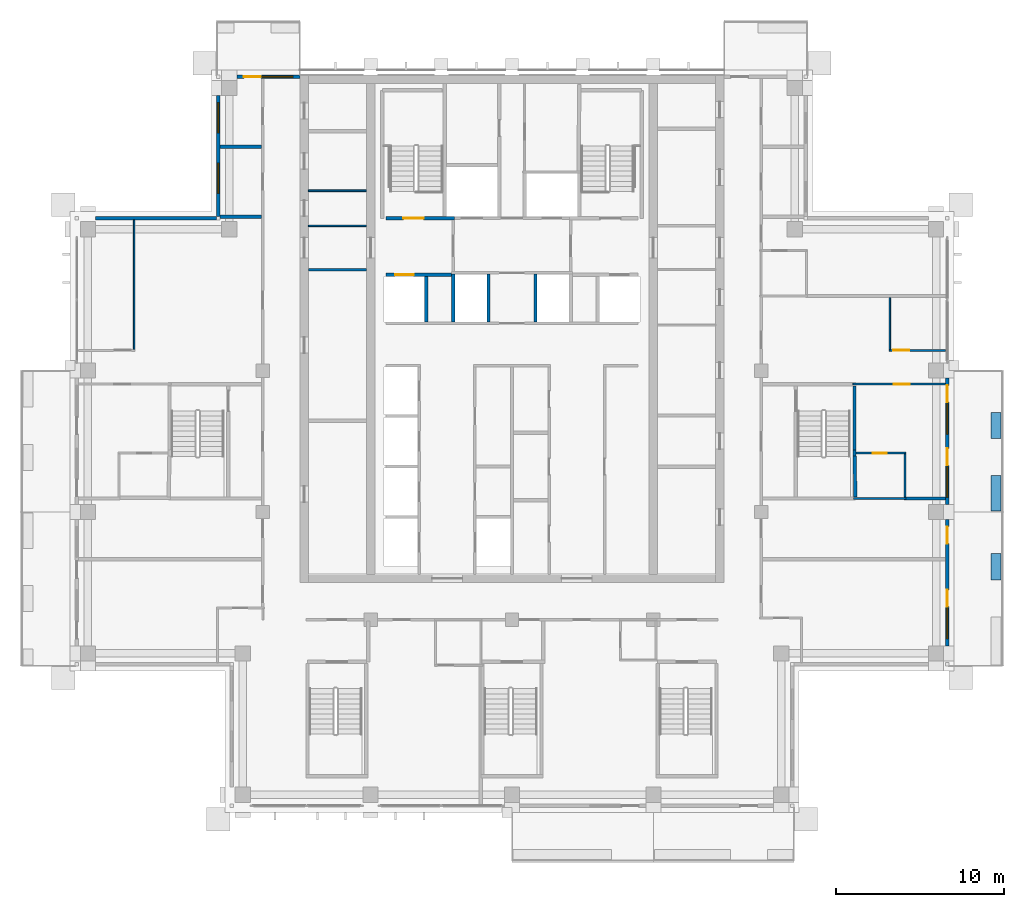
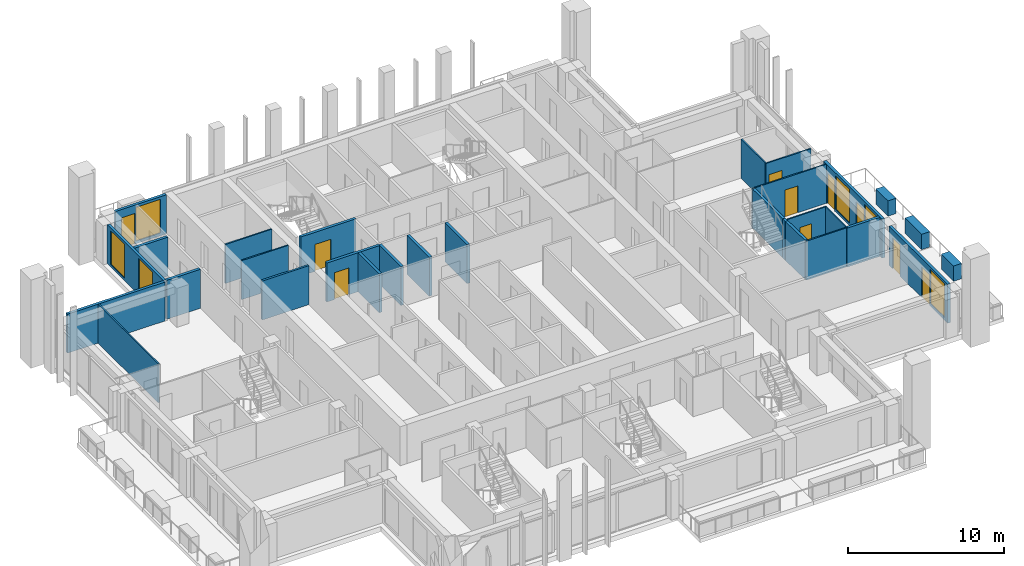
# One storey, part 12 of 18: 30 walls, 10 doors, 6 windows, 16 openings.
"""IFC4 building model written with IfcOpenShell, lengths in metres."""

from ifc_helpers import new_model, si_unit, direction, frame, frame_2d, origin, place, context, subcontext, project, spatial, rectangle, extrude, material, layer, layer_set, type_object, element, fill, save


model = new_model("IFC4")

# Units and contexts
model_context = context("Model", 3, precision=1e-05, world=origin(), true_north=direction((0.0, 1.0)))
body_context = subcontext(model_context, "Body", "Model", "MODEL_VIEW")
ifc_project = project(units=[si_unit("LENGTHUNIT", "METRE"), si_unit("AREAUNIT", "SQUARE_METRE"), si_unit("VOLUMEUNIT", "CUBIC_METRE"), si_unit("PLANEANGLEUNIT", "RADIAN"), si_unit("MASSUNIT", "GRAM", prefix="KILO")], contexts=[model_context])

# Site, building, storey
site_placement = place(None, origin())
site = spatial("IfcSite", under=ifc_project, at=site_placement, CompositionType="ELEMENT")
building_placement = place(site_placement, origin())
building = spatial("IfcBuilding", under=site, at=building_placement, Name="Vermilion Ogive Tower", CompositionType="ELEMENT")
storey_placement = place(building_placement, frame((0.0, 0.0, 240.699951171875)))
storey = spatial("IfcBuildingStorey", under=building, at=storey_placement, Name="L63", CompositionType="ELEMENT", Elevation=240.699951171875)

# Wall
ifc_material_1 = material(Name="Gypsum board partition on steel studs", Category="steel")
ifc_layer_1 = layer(ifc_material_1, 0.10009765625)
ifc_layer_set_1 = layer_set([ifc_layer_1], Name="Partition 100 bath")
wall_type_1 = type_object("IfcWallType", Name="Partition 100 bath", PredefinedType="PARTITIONING", material=ifc_layer_set_1)
wall_1_placement = place(storey_placement, frame((20.300048828125, -3.39990234375, 0.0), z_axis=(0.0, 0.0, 1.0), x_axis=(1.0, 0.0, 0.0)))
element("IfcWall", 1, at=wall_1_placement, inside=storey, type_object=wall_type_1, Name="L63-W-W020", PredefinedType="PARTITIONING", context=body_context, shape_type="SweptSolid", body=[
    extrude(rectangle(XDim=3.099853515625, YDim=0.10009765625, at=frame_2d((1.5498046875, 0.0))), origin(), (0.0, 0.0, 1.0), 3.050048828125),
])

# Wall, opening, door
wall_2_placement = place(storey_placement, frame((20.449951171875, -0.699951171875, 0.0), z_axis=(0.0, 0.0, 1.0), x_axis=(1.0, 0.0, 0.0)))
wall_2 = element("IfcWall", 2, at=wall_2_placement, inside=storey, type_object=wall_type_1, Name="L63-W-W023", PredefinedType="PARTITIONING", context=body_context, shape_type="SweptSolid", body=[
    extrude(rectangle(XDim=2.949951171875, YDim=0.10009765625, at=frame_2d((1.47509765625, 0.0))), origin(), (0.0, 0.0, 1.0), 3.050048828125),
])
opening_1_placement = place(wall_2_placement, frame((0.97509765625, 0.0, 0.0)))
opening_1 = element("IfcOpeningElement", 3, at=opening_1_placement, cuts=wall_2, Name="Opening D5G3018", PredefinedType="OPENING", context=body_context, shape_type="SweptSolid", body=[
    extrude(rectangle(XDim=0.85009765625, YDim=2.10009765625, at=frame_2d((0.425048828125, 1.050048828125))), frame((0.0, 0.06005859375, 0.0), z_axis=(0.0, -1.0, 0.0), x_axis=(1.0, 0.0, 0.0)), (0.0, 0.0, 1.0), 0.1201171875),
])
ifc_material_2 = material(Name="Timber door leaf", Category="wood")
door_type_1 = type_object("IfcDoorType", Name="Bath door 850 x 2100 FD30", OperationType="SINGLE_SWING_LEFT", PredefinedType="DOOR", material=ifc_material_2)
door_1_placement = place(opening_1_placement, origin())
door_1 = element("IfcDoor", 4, at=door_1_placement, inside=storey, type_object=door_type_1, Name="L63-D-D018", OperationType="SINGLE_SWING_RIGHT", OverallHeight=2.10009765625, OverallWidth=0.85009765625, PredefinedType="DOOR", context=body_context, shape_type="SweptSolid", body=[
    extrude(rectangle(XDim=0.85009765625, YDim=2.10009765625, at=frame_2d((0.425048828125, 1.050048828125))), frame((0.0, 0.02490234375, 0.0), z_axis=(0.0, -1.0, 0.0), x_axis=(1.0, 0.0, 0.0)), (0.0, 0.0, 1.0), 0.050048828125),
])
fill(opening_1, door_1)

# Walls
wall_3_placement = place(storey_placement, frame((23.35009765625, -3.300048828125, 0.0), z_axis=(0.0, 0.0, 1.0), x_axis=(0.0, 1.0, 0.0)))
element("IfcWall", 5, at=wall_3_placement, inside=storey, type_object=wall_type_1, Name="L63-W-W063", PredefinedType="PARTITIONING", context=body_context, shape_type="SweptSolid", body=[
    extrude(rectangle(XDim=2.550048828125, YDim=0.10009765625, at=frame_2d((1.27490234375, 0.0))), origin(), (0.0, 0.0, 1.0), 3.050048828125),
])
for number, where, z_axis, x_axis, name in (
    (6, (-12.09912109375, 12.800048828125, 0.0), (0.0, 0.0, 1.0), (1.0, 0.0, 0.0), "L63-CKW-W-W003"),
    (7, (-12.09912109375, 14.89111328125, 0.0), (0.0, 0.0, 1.0), (1.0, 0.0, 0.0), "L63-CKW-W-W004"),
):
    element("IfcWall", number, at=place(storey_placement, frame(where, z_axis=z_axis, x_axis=x_axis)), inside=storey, type_object=wall_type_1, Name=name, PredefinedType="PARTITIONING", context=body_context, shape_type="SweptSolid", body=[
        extrude(rectangle(XDim=3.4482421875, YDim=0.10009765625, at=frame_2d((1.72412109375, 0.0))), origin(), (0.0, 0.0, 1.0), 3.050048828125),
    ])

# Wall, opening, door
ifc_material_3 = material(Name="Gypsum board partition on steel studs", Category="steel")
ifc_layer_2 = layer(ifc_material_3, 0.10009765625)
ifc_layer_set_2 = layer_set([ifc_layer_2], Name="Partition 100 inner")
wall_type_2 = type_object("IfcWallType", Name="Partition 100 inner", PredefinedType="PARTITIONING", material=ifc_layer_set_2)
wall_4_placement = place(storey_placement, frame((20.25, 3.39990234375, 0.0), z_axis=(0.0, 0.0, 1.0), x_axis=(1.0, 0.0, 0.0)))
wall_4 = element("IfcWall", 8, at=wall_4_placement, inside=storey, type_object=wall_type_2, Name="L63-W-W027", PredefinedType="PARTITIONING", context=body_context, shape_type="SweptSolid", body=[
    extrude(rectangle(XDim=5.5, YDim=0.10009765625, at=frame_2d((2.75, 0.0))), origin(), (0.0, 0.0, 1.0), 3.050048828125),
])
opening_2_placement = place(wall_4_placement, frame((2.425048828125, 0.0, 0.0)))
opening_2 = element("IfcOpeningElement", 9, at=opening_2_placement, cuts=wall_4, Name="Opening D5G3017", PredefinedType="OPENING", context=body_context, shape_type="SweptSolid", body=[
    extrude(rectangle(XDim=0.949951171875, YDim=2.10009765625, at=frame_2d((0.47509765625, 1.050048828125))), frame((0.0, 0.06005859375, 0.0), z_axis=(0.0, -1.0, 0.0), x_axis=(1.0, 0.0, 0.0)), (0.0, 0.0, 1.0), 0.1201171875),
])
ifc_material_4 = material(Name="Timber door leaf", Category="wood")
door_type_2 = type_object("IfcDoorType", Name="Inner door 950 x 2100 FD30", OperationType="SINGLE_SWING_LEFT", PredefinedType="DOOR", material=ifc_material_4)
door_2_placement = place(opening_2_placement, origin())
door_2 = element("IfcDoor", 10, at=door_2_placement, inside=storey, type_object=door_type_2, Name="L63-D-D017", OperationType="SINGLE_SWING_LEFT", OverallHeight=2.10009765625, OverallWidth=0.949951171875, PredefinedType="DOOR", context=body_context, shape_type="SweptSolid", body=[
    extrude(rectangle(XDim=0.949951171875, YDim=2.10009765625, at=frame_2d((0.47509765625, 1.050048828125))), frame((0.0, 0.02490234375, 0.0), z_axis=(0.0, -1.0, 0.0), x_axis=(1.0, 0.0, 0.0)), (0.0, 0.0, 1.0), 0.050048828125),
])
fill(opening_2, door_2)

wall_5_placement = place(storey_placement, frame((22.39990234375, 5.39990234375, 0.0), z_axis=(0.0, 0.0, 1.0), x_axis=(1.0, 0.0, 0.0)))
wall_5 = element("IfcWall", 11, at=wall_5_placement, inside=storey, type_object=wall_type_2, Name="L63-W-W029", PredefinedType="PARTITIONING", context=body_context, shape_type="SweptSolid", body=[
    extrude(rectangle(XDim=3.35009765625, YDim=0.10009765625, at=frame_2d((1.675048828125, 0.0))), origin(), (0.0, 0.0, 1.0), 3.050048828125),
])
opening_3_placement = place(wall_5_placement, frame((0.25, 0.0, 0.0)))
opening_3 = element("IfcOpeningElement", 12, at=opening_3_placement, cuts=wall_5, Name="Opening D5G3015", PredefinedType="OPENING", context=body_context, shape_type="SweptSolid", body=[
    extrude(rectangle(XDim=0.949951171875, YDim=2.10009765625, at=frame_2d((0.47509765625, 1.050048828125))), frame((0.0, 0.06005859375, 0.0), z_axis=(0.0, -1.0, 0.0), x_axis=(1.0, 0.0, 0.0)), (0.0, 0.0, 1.0), 0.1201171875),
])
door_3_placement = place(opening_3_placement, origin())
door_3 = element("IfcDoor", 13, at=door_3_placement, inside=storey, type_object=door_type_2, Name="L63-D-D015", OperationType="SINGLE_SWING_LEFT", OverallHeight=2.10009765625, OverallWidth=0.949951171875, PredefinedType="DOOR", context=body_context, shape_type="SweptSolid", body=[
    extrude(rectangle(XDim=0.949951171875, YDim=2.10009765625, at=frame_2d((0.47509765625, 1.050048828125))), frame((0.0, 0.02490234375, 0.0), z_axis=(0.0, -1.0, 0.0), x_axis=(1.0, 0.0, 0.0)), (0.0, 0.0, 1.0), 0.050048828125),
])
fill(opening_3, door_3)

# Walls
wall_6_placement = place(storey_placement, frame((-22.449951171875, 5.449951171875, 0.0), z_axis=(0.0, 0.0, 1.0), x_axis=(0.0, 1.0, 0.0)))
element("IfcWall", 14, at=wall_6_placement, inside=storey, type_object=wall_type_2, Name="L63-W-W038", PredefinedType="PARTITIONING", context=body_context, shape_type="SweptSolid", body=[
    extrude(rectangle(XDim=7.699951171875, YDim=0.10009765625, at=frame_2d((3.85009765625, 0.0))), origin(), (0.0, 0.0, 1.0), 3.050048828125),
])
wall_7_placement = place(storey_placement, frame((22.449951171875, 5.449951171875, 0.0), z_axis=(0.0, 0.0, 1.0), x_axis=(0.0, 1.0, 0.0)))
element("IfcWall", 15, at=wall_7_placement, inside=storey, type_object=wall_type_2, Name="L63-W-W062", PredefinedType="PARTITIONING", context=body_context, shape_type="SweptSolid", body=[
    extrude(rectangle(XDim=3.080078125, YDim=0.10009765625, at=frame_2d((1.5400390625, 0.0))), origin(), (0.0, 0.0, 1.0), 3.050048828125),
])
ifc_material_5 = material(Name="Gypsum board partition on steel studs", Category="steel")
ifc_layer_3 = layer(ifc_material_5, 0.14990234375)
ifc_layer_set_3 = layer_set([ifc_layer_3], Name="Partition 150 corridor")
wall_type_3 = type_object("IfcWallType", Name="Partition 150 corridor", PredefinedType="PARTITIONING", material=ifc_layer_set_3)
wall_8_placement = place(storey_placement, frame((-12.09912109375, 10.199951171875, 0.0), z_axis=(0.0, 0.0, 1.0), x_axis=(1.0, 0.0, 0.0)))
element("IfcWall", 16, at=wall_8_placement, inside=storey, type_object=wall_type_3, Name="L63-CKW-W-W002", PredefinedType="PARTITIONING", context=body_context, shape_type="SweptSolid", body=[
    extrude(rectangle(XDim=3.4482421875, YDim=0.14990234375, at=frame_2d((1.72412109375, 0.0))), origin(), (0.0, 0.0, 1.0), 3.050048828125),
])
ifc_material_6 = material(Name="Gypsum board partition on steel studs", Category="steel")
ifc_layer_4 = layer(ifc_material_6, 0.199951171875)
ifc_layer_set_4 = layer_set([ifc_layer_4], Name="Partition 200 party")
wall_type_4 = type_object("IfcWallType", Name="Partition 200 party", PredefinedType="PARTITIONING", material=ifc_layer_set_4)
wall_9_placement = place(storey_placement, frame((23.300048828125, -3.39990234375, 0.0), z_axis=(0.0, 0.0, 1.0), x_axis=(1.0, 0.0, 0.0)))
element("IfcWall", 17, at=wall_9_placement, inside=storey, type_object=wall_type_4, Name="L63-W-W021", PredefinedType="PARTITIONING", context=body_context, shape_type="SweptSolid", body=[
    extrude(rectangle(XDim=2.449951171875, YDim=0.199951171875, at=frame_2d((1.22509765625, 0.0))), origin(), (0.0, 0.0, 1.0), 3.050048828125),
])
for number, where, z_axis, x_axis, name in (
    (18, (-17.35009765625, 13.35009765625, 0.0), (0.0, 0.0, 1.0), (1.0, 0.0, 0.0), "L63-W-W033"),
    (19, (-17.35009765625, 17.5, 0.0), (0.0, 0.0, 1.0), (1.0, 0.0, 0.0), "L63-W-W035"),
):
    element("IfcWall", number, at=place(storey_placement, frame(where, z_axis=z_axis, x_axis=x_axis)), inside=storey, type_object=wall_type_4, Name=name, PredefinedType="PARTITIONING", context=body_context, shape_type="SweptSolid", body=[
        extrude(rectangle(XDim=2.47509765625, YDim=0.199951171875, at=frame_2d((1.237548828125, 0.0))), origin(), (0.0, 0.0, 1.0), 3.050048828125),
    ])

# Wall, opening, door
wall_10_placement = place(storey_placement, frame((-7.5, 9.89990234375, 0.0), z_axis=(0.0, 0.0, 1.0), x_axis=(1.0, 0.0, 0.0)))
wall_10 = element("IfcWall", 20, at=wall_10_placement, inside=storey, type_object=wall_type_4, Name="L63-CK-W-W012", PredefinedType="PARTITIONING", context=body_context, shape_type="SweptSolid", body=[
    extrude(rectangle(XDim=3.89990234375, YDim=0.199951171875, at=frame_2d((1.949951171875, 0.0))), origin(), (0.0, 0.0, 1.0), 3.050048828125),
])
opening_4_placement = place(wall_10_placement, frame((0.550048828125, 0.0, 0.0)))
opening_4 = element("IfcOpeningElement", 21, at=opening_4_placement, cuts=wall_10, Name="Opening DAA605", PredefinedType="OPENING", context=body_context, shape_type="SweptSolid", body=[
    extrude(rectangle(XDim=1.10009765625, YDim=2.10009765625, at=frame_2d((0.550048828125, 1.050048828125))), frame((0.0, 0.10986328125, 0.0), z_axis=(0.0, -1.0, 0.0), x_axis=(1.0, 0.0, 0.0)), (0.0, 0.0, 1.0), 0.219970703125),
])
ifc_material_7 = material(Name="Stainless steel", Category="steel")
door_type_3 = type_object("IfcDoorType", Name="Lift landing door 1100 x 2100", OperationType="SLIDING_TO_LEFT", PredefinedType="DOOR", material=ifc_material_7)
door_4_placement = place(opening_4_placement, origin())
door_4 = element("IfcDoor", 22, at=door_4_placement, inside=storey, type_object=door_type_3, Name="L63-CK-D-D013", OperationType="SLIDING_TO_RIGHT", OverallHeight=2.10009765625, OverallWidth=1.10009765625, PredefinedType="DOOR", context=body_context, shape_type="SweptSolid", body=[
    extrude(rectangle(XDim=1.10009765625, YDim=2.10009765625, at=frame_2d((0.550048828125, 1.050048828125))), frame((0.0, 0.02490234375, 0.0), z_axis=(0.0, -1.0, 0.0), x_axis=(1.0, 0.0, 0.0)), (0.0, 0.0, 1.0), 0.050048828125),
])
fill(opening_4, door_4)

# Walls
wall_11_placement = place(storey_placement, frame((-5.10009765625, 7.074951171875, 0.0), z_axis=(0.0, 0.0, 1.0), x_axis=(0.0, 1.0, 0.0)))
element("IfcWall", 23, at=wall_11_placement, inside=storey, type_object=wall_type_4, Name="L63-CK-W-W021", PredefinedType="PARTITIONING", context=body_context, shape_type="SweptSolid", body=[
    extrude(rectangle(XDim=2.72509765625, YDim=0.199951171875, at=frame_2d((1.362548828125, 0.0))), origin(), (0.0, 0.0, 1.0), 3.050048828125),
])
for number, where, z_axis, x_axis, name in (
    (24, (-3.5, 7.074951171875, 0.0), (0.0, 0.0, 1.0), (0.0, 1.0, 0.0), "L63-CK-W-W023"),
    (25, (-1.39990234375, 7.074951171875, 0.0), (0.0, 0.0, 1.0), (0.0, 1.0, 0.0), "L63-CK-W-W026"),
    (26, (1.39990234375, 7.074951171875, 0.0), (0.0, 0.0, 1.0), (0.0, 1.0, 0.0), "L63-CK-W-W031"),
):
    element("IfcWall", number, at=place(storey_placement, frame(where, z_axis=z_axis, x_axis=x_axis)), inside=storey, type_object=wall_type_4, Name=name, PredefinedType="PARTITIONING", context=body_context, shape_type="SweptSolid", body=[
        extrude(rectangle(XDim=2.85009765625, YDim=0.199951171875, at=frame_2d((1.425048828125, 0.0))), origin(), (0.0, 0.0, 1.0), 3.050048828125),
    ])
ifc_material_8 = material(Name="Concrete B60", Category="concrete")
ifc_layer_5 = layer(ifc_material_8, 0.199951171875)
ifc_layer_set_5 = layer_set([ifc_layer_5], Name="Stair shaft wall 200 Concrete B60")
wall_type_5 = type_object("IfcWallType", Name="Stair shaft wall 200 Concrete B60", PredefinedType="SOLIDWALL", material=ifc_layer_set_5)
wall_12_placement = place(storey_placement, frame((20.400146484375, -3.300048828125, 0.0), z_axis=(0.0, 0.0, 1.0), x_axis=(-0.019287077816, 0.999813987014, 0.0)))
element("IfcWall", 27, at=wall_12_placement, inside=storey, type_object=wall_type_5, Name="L63-W-W060", PredefinedType="SOLIDWALL", context=body_context, shape_type="SweptSolid", body=[
    extrude(rectangle(XDim=2.430419921875, YDim=0.199951171875, at=frame_2d((1.21533203125, 0.0))), origin(), (0.0, 0.0, 1.0), 3.050048828125),
])
wall_13_placement = place(storey_placement, frame((20.35009765625, -0.52978515625, 0.0), z_axis=(0.0, 0.0, 1.0), x_axis=(0.0, 1.0, 0.0)))
element("IfcWall", 28, at=wall_13_placement, inside=storey, type_object=wall_type_5, Name="L63-W-W061", PredefinedType="SOLIDWALL", context=body_context, shape_type="SweptSolid", body=[
    extrude(rectangle(XDim=3.829833984375, YDim=0.199951171875, at=frame_2d((1.9150390625, 0.0))), origin(), (0.0, 0.0, 1.0), 3.050048828125),
])

# Wall, opening, door
wall_14_placement = place(storey_placement, frame((-7.5, 13.25, 0.0), z_axis=(0.0, 0.0, 1.0), x_axis=(1.0, 0.0, 0.0)))
wall_14 = element("IfcWall", 29, at=wall_14_placement, inside=storey, type_object=wall_type_5, Name="L63-CK-W-W015", PredefinedType="SOLIDWALL", context=body_context, shape_type="SweptSolid", body=[
    extrude(rectangle(XDim=4.074951171875, YDim=0.199951171875, at=frame_2d((2.03759765625, 0.0))), origin(), (0.0, 0.0, 1.0), 3.050048828125),
])
opening_5_placement = place(wall_14_placement, frame((1.050048828125, 0.0, 0.0)))
opening_5 = element("IfcOpeningElement", 30, at=opening_5_placement, cuts=wall_14, Name="Opening DAA598", PredefinedType="OPENING", context=body_context, shape_type="SweptSolid", body=[
    extrude(rectangle(XDim=1.199951171875, YDim=2.10009765625, at=frame_2d((0.60009765625, 1.050048828125))), frame((0.0, 0.10986328125, 0.0), z_axis=(0.0, -1.0, 0.0), x_axis=(1.0, 0.0, 0.0)), (0.0, 0.0, 1.0), 0.219970703125),
])
ifc_material_9 = material(Name="Timber door leaf", Category="wood")
door_type_4 = type_object("IfcDoorType", Name="Stair door 1200 x 2100 FD60S", OperationType="SINGLE_SWING_LEFT", PredefinedType="DOOR", material=ifc_material_9)
door_5_placement = place(opening_5_placement, origin())
door_5 = element("IfcDoor", 31, at=door_5_placement, inside=storey, type_object=door_type_4, Name="L63-CK-D-D012", OperationType="SINGLE_SWING_LEFT", OverallHeight=2.10009765625, OverallWidth=1.199951171875, PredefinedType="DOOR", context=body_context, shape_type="SweptSolid", body=[
    extrude(rectangle(XDim=1.199951171875, YDim=2.10009765625, at=frame_2d((0.60009765625, 1.050048828125))), frame((0.0, 0.02490234375, 0.0), z_axis=(0.0, -1.0, 0.0), x_axis=(1.0, 0.0, 0.0)), (0.0, 0.0, 1.0), 0.050048828125),
])
fill(opening_5, door_5)

# Walls
wall_15_placement = place(storey_placement, frame((20.35009765625, -0.8701171875, 0.0), z_axis=(0.0, 0.0, 1.0), x_axis=(0.0, 1.0, 0.0)))
element("IfcWall", 32, at=wall_15_placement, inside=storey, type_object=wall_type_5, Name="L63-SW-ST8-E1", PredefinedType="SOLIDWALL", context=body_context, shape_type="SweptSolid", body=[
    extrude(rectangle(XDim=0.34033203125, YDim=0.199951171875, at=frame_2d((0.170166015625, 0.0))), origin(), (0.0, 0.0, 1.0), 3.050048828125),
])
ifc_material_10 = material(Name="Concrete B40", Category="concrete")
ifc_layer_6 = layer(ifc_material_10, 0.60009765625)
ifc_layer_set_6 = layer_set([ifc_layer_6], Name="Structural planter")
wall_type_6 = type_object("IfcWallType", Name="Structural planter", PredefinedType="USERDEFINED", material=ifc_layer_set_6)
wall_16_placement = place(storey_placement, frame((28.75, -8.22509765625, -0.0400390625), z_axis=(0.0, 0.0, 1.0), x_axis=(0.0, 1.0, 0.0)))
element("IfcWall", 33, at=wall_16_placement, inside=storey, type_object=wall_type_6, Name="Planter E01A2", ObjectType="PLANTER", PredefinedType="USERDEFINED", context=body_context, shape_type="SweptSolid", body=[
    extrude(rectangle(XDim=1.550048828125, YDim=0.60009765625, at=frame_2d((0.77490234375, 0.0))), origin(), (0.0, 0.0, 1.0), 1.2001953125),
])
wall_17_placement = place(storey_placement, frame((28.75, -4.139892578125, -0.0400390625), z_axis=(0.0, 0.0, 1.0), x_axis=(0.0, 1.0, 0.0)))
element("IfcWall", 34, at=wall_17_placement, inside=storey, type_object=wall_type_6, Name="Planter E02A1", ObjectType="PLANTER", PredefinedType="USERDEFINED", context=body_context, shape_type="SweptSolid", body=[
    extrude(rectangle(XDim=2.114990234375, YDim=0.60009765625, at=frame_2d((1.0576171875, 0.0))), origin(), (0.0, 0.0, 1.0), 1.2001953125),
])
wall_18_placement = place(storey_placement, frame((28.75, 0.175048828125, -0.0400390625), z_axis=(0.0, 0.0, 1.0), x_axis=(0.0, 1.0, 0.0)))
element("IfcWall", 35, at=wall_18_placement, inside=storey, type_object=wall_type_6, Name="Planter E02A2", ObjectType="PLANTER", PredefinedType="USERDEFINED", context=body_context, shape_type="SweptSolid", body=[
    extrude(rectangle(XDim=1.550048828125, YDim=0.60009765625, at=frame_2d((0.77490234375, 0.0))), origin(), (0.0, 0.0, 1.0), 1.2001953125),
])

# Wall, openings, doors, window
ifc_material_11 = material(Name="Aluminium window wall framing", Category="aluminium")
ifc_layer_7 = layer(ifc_material_11, 0.199951171875)
ifc_layer_set_7 = layer_set([ifc_layer_7], Name="Window wall")
wall_type_7 = type_object("IfcWallType", Name="Window wall", PredefinedType="STANDARD", material=ifc_layer_set_7)
wall_19_placement = place(storey_placement, frame((25.85009765625, -12.14990234375, 0.0), z_axis=(0.0, 0.0, 1.0), x_axis=(0.0, 1.0, 0.0)))
wall_19 = element("IfcWall", 36, at=wall_19_placement, inside=storey, type_object=wall_type_7, Name="Window wall E1", PredefinedType="STANDARD", context=body_context, shape_type="SweptSolid", body=[
    extrude(rectangle(XDim=7.5, YDim=0.199951171875, at=frame_2d((3.75, 0.0))), origin(), (0.0, 0.0, 1.0), 3.050048828125),
])
opening_6_placement = place(wall_19_placement, frame((0.425048828125, 0.0, 0.199951171875)))
opening_6 = element("IfcOpeningElement", 37, at=opening_6_placement, cuts=wall_19, Name="Opening W1-E97", PredefinedType="OPENING", context=body_context, shape_type="SweptSolid", body=[
    extrude(rectangle(XDim=1.800048828125, YDim=2.64990234375, at=frame_2d((0.89990234375, 1.324951171875))), frame((0.0, 0.10986328125, 0.0), z_axis=(0.0, -1.0, 0.0), x_axis=(1.0, 0.0, 0.0)), (0.0, 0.0, 1.0), 0.219970703125),
])
opening_7_placement = place(wall_19_placement, frame((2.324951171875, 0.0, 0.0)))
opening_7 = element("IfcOpeningElement", 38, at=opening_7_placement, cuts=wall_19, Name="Opening D1-E97", PredefinedType="OPENING", context=body_context, shape_type="SweptSolid", body=[
    extrude(rectangle(XDim=1.0, YDim=2.39990234375, at=frame_2d((0.5, 1.199951171875))), frame((0.0, 0.10986328125, 0.0), z_axis=(0.0, -1.0, 0.0), x_axis=(1.0, 0.0, 0.0)), (0.0, 0.0, 1.0), 0.219970703125),
])
opening_8_placement = place(wall_19_placement, frame((6.074951171875, 0.0, 0.0)))
opening_8 = element("IfcOpeningElement", 39, at=opening_8_placement, cuts=wall_19, Name="Opening D1-E98", PredefinedType="OPENING", context=body_context, shape_type="SweptSolid", body=[
    extrude(rectangle(XDim=1.0, YDim=2.39990234375, at=frame_2d((0.5, 1.199951171875))), frame((0.0, 0.10986328125, 0.0), z_axis=(0.0, -1.0, 0.0), x_axis=(1.0, 0.0, 0.0)), (0.0, 0.0, 1.0), 0.219970703125),
])
ifc_material_12 = material(Name="Aluminium framed glazed door", Category="aluminium")
door_type_5 = type_object("IfcDoorType", Name="Balcony door D1", OperationType="SINGLE_SWING_LEFT", PredefinedType="DOOR", material=ifc_material_12)
door_6_placement = place(opening_7_placement, origin())
door_6 = element("IfcDoor", 40, at=door_6_placement, inside=storey, type_object=door_type_5, Name="Balcony door E97", OperationType="SINGLE_SWING_LEFT", OverallHeight=2.39990234375, OverallWidth=1.0, PredefinedType="DOOR", context=body_context, shape_type="SweptSolid", body=[
    extrude(rectangle(XDim=1.0, YDim=2.39990234375, at=frame_2d((0.5, 1.199951171875))), frame((0.0, 0.02490234375, 0.0), z_axis=(0.0, -1.0, 0.0), x_axis=(1.0, 0.0, 0.0)), (0.0, 0.0, 1.0), 0.050048828125),
])
fill(opening_7, door_6)
door_7_placement = place(opening_8_placement, origin())
door_7 = element("IfcDoor", 41, at=door_7_placement, inside=storey, type_object=door_type_5, Name="Balcony door E98", OperationType="SINGLE_SWING_LEFT", OverallHeight=2.39990234375, OverallWidth=1.0, PredefinedType="DOOR", context=body_context, shape_type="SweptSolid", body=[
    extrude(rectangle(XDim=1.0, YDim=2.39990234375, at=frame_2d((0.5, 1.199951171875))), frame((0.0, 0.02490234375, 0.0), z_axis=(0.0, -1.0, 0.0), x_axis=(1.0, 0.0, 0.0)), (0.0, 0.0, 1.0), 0.050048828125),
])
fill(opening_8, door_7)
ifc_material_13 = material(Name="Aluminium framed double glazing", Category="aluminium")
window_type = type_object("IfcWindowType", Name="Guest window W1", PartitioningType="SINGLE_PANEL", PredefinedType="WINDOW", material=ifc_material_13)
window_1_placement = place(opening_6_placement, origin())
window_1 = element("IfcWindow", 42, at=window_1_placement, inside=storey, type_object=window_type, Name="Window E97", OverallHeight=2.64990234375, OverallWidth=1.800048828125, PartitioningType="SINGLE_PANEL", PredefinedType="WINDOW", context=body_context, shape_type="SweptSolid", body=[
    extrude(rectangle(XDim=1.800048828125, YDim=2.64990234375, at=frame_2d((0.89990234375, 1.324951171875))), frame((0.0, 0.030029296875, 0.0), z_axis=(0.0, -1.0, 0.0), x_axis=(1.0, 0.0, 0.0)), (0.0, 0.0, 1.0), 0.06005859375),
])
fill(opening_6, window_1)

# Wall, openings, doors, windows
wall_20_placement = place(storey_placement, frame((25.85009765625, -3.75, 0.0), z_axis=(0.0, 0.0, 1.0), x_axis=(0.0, 1.0, 0.0)))
wall_20 = element("IfcWall", 43, at=wall_20_placement, inside=storey, type_object=wall_type_7, Name="Window wall E2", PredefinedType="STANDARD", context=body_context, shape_type="SweptSolid", body=[
    extrude(rectangle(XDim=7.5, YDim=0.199951171875, at=frame_2d((3.75, 0.0))), origin(), (0.0, 0.0, 1.0), 3.050048828125),
])
opening_9_placement = place(wall_20_placement, frame((0.425048828125, 0.0, 0.199951171875)))
opening_9 = element("IfcOpeningElement", 44, at=opening_9_placement, cuts=wall_20, Name="Opening W1-E99", PredefinedType="OPENING", context=body_context, shape_type="SweptSolid", body=[
    extrude(rectangle(XDim=1.800048828125, YDim=2.64990234375, at=frame_2d((0.89990234375, 1.324951171875))), frame((0.0, 0.10986328125, 0.0), z_axis=(0.0, -1.0, 0.0), x_axis=(1.0, 0.0, 0.0)), (0.0, 0.0, 1.0), 0.219970703125),
])
opening_10_placement = place(wall_20_placement, frame((2.324951171875, 0.0, 0.0)))
opening_10 = element("IfcOpeningElement", 45, at=opening_10_placement, cuts=wall_20, Name="Opening D1-E99", PredefinedType="OPENING", context=body_context, shape_type="SweptSolid", body=[
    extrude(rectangle(XDim=1.0, YDim=2.39990234375, at=frame_2d((0.5, 1.199951171875))), frame((0.0, 0.10986328125, 0.0), z_axis=(0.0, -1.0, 0.0), x_axis=(1.0, 0.0, 0.0)), (0.0, 0.0, 1.0), 0.219970703125),
])
opening_11_placement = place(wall_20_placement, frame((4.175048828125, 0.0, 0.199951171875)))
opening_11 = element("IfcOpeningElement", 46, at=opening_11_placement, cuts=wall_20, Name="Opening W1-E00", PredefinedType="OPENING", context=body_context, shape_type="SweptSolid", body=[
    extrude(rectangle(XDim=1.800048828125, YDim=2.64990234375, at=frame_2d((0.89990234375, 1.324951171875))), frame((0.0, 0.10986328125, 0.0), z_axis=(0.0, -1.0, 0.0), x_axis=(1.0, 0.0, 0.0)), (0.0, 0.0, 1.0), 0.219970703125),
])
opening_12_placement = place(wall_20_placement, frame((6.074951171875, 0.0, 0.0)))
opening_12 = element("IfcOpeningElement", 47, at=opening_12_placement, cuts=wall_20, Name="Opening D1-E00", PredefinedType="OPENING", context=body_context, shape_type="SweptSolid", body=[
    extrude(rectangle(XDim=1.0, YDim=2.39990234375, at=frame_2d((0.5, 1.199951171875))), frame((0.0, 0.10986328125, 0.0), z_axis=(0.0, -1.0, 0.0), x_axis=(1.0, 0.0, 0.0)), (0.0, 0.0, 1.0), 0.219970703125),
])
door_8_placement = place(opening_10_placement, origin())
door_8 = element("IfcDoor", 48, at=door_8_placement, inside=storey, type_object=door_type_5, Name="Balcony door E99", OperationType="SINGLE_SWING_LEFT", OverallHeight=2.39990234375, OverallWidth=1.0, PredefinedType="DOOR", context=body_context, shape_type="SweptSolid", body=[
    extrude(rectangle(XDim=1.0, YDim=2.39990234375, at=frame_2d((0.5, 1.199951171875))), frame((0.0, 0.02490234375, 0.0), z_axis=(0.0, -1.0, 0.0), x_axis=(1.0, 0.0, 0.0)), (0.0, 0.0, 1.0), 0.050048828125),
])
fill(opening_10, door_8)
door_9_placement = place(opening_12_placement, origin())
door_9 = element("IfcDoor", 49, at=door_9_placement, inside=storey, type_object=door_type_5, Name="Balcony door E00", OperationType="SINGLE_SWING_LEFT", OverallHeight=2.39990234375, OverallWidth=1.0, PredefinedType="DOOR", context=body_context, shape_type="SweptSolid", body=[
    extrude(rectangle(XDim=1.0, YDim=2.39990234375, at=frame_2d((0.5, 1.199951171875))), frame((0.0, 0.02490234375, 0.0), z_axis=(0.0, -1.0, 0.0), x_axis=(1.0, 0.0, 0.0)), (0.0, 0.0, 1.0), 0.050048828125),
])
fill(opening_12, door_9)
window_2_placement = place(opening_9_placement, origin())
window_2 = element("IfcWindow", 50, at=window_2_placement, inside=storey, type_object=window_type, Name="Window E99", OverallHeight=2.64990234375, OverallWidth=1.800048828125, PartitioningType="SINGLE_PANEL", PredefinedType="WINDOW", context=body_context, shape_type="SweptSolid", body=[
    extrude(rectangle(XDim=1.800048828125, YDim=2.64990234375, at=frame_2d((0.89990234375, 1.324951171875))), frame((0.0, 0.030029296875, 0.0), z_axis=(0.0, -1.0, 0.0), x_axis=(1.0, 0.0, 0.0)), (0.0, 0.0, 1.0), 0.06005859375),
])
fill(opening_9, window_2)
window_3_placement = place(opening_11_placement, origin())
window_3 = element("IfcWindow", 51, at=window_3_placement, inside=storey, type_object=window_type, Name="Window E00", OverallHeight=2.64990234375, OverallWidth=1.800048828125, PartitioningType="SINGLE_PANEL", PredefinedType="WINDOW", context=body_context, shape_type="SweptSolid", body=[
    extrude(rectangle(XDim=1.800048828125, YDim=2.64990234375, at=frame_2d((0.89990234375, 1.324951171875))), frame((0.0, 0.030029296875, 0.0), z_axis=(0.0, -1.0, 0.0), x_axis=(1.0, 0.0, 0.0)), (0.0, 0.0, 1.0), 0.06005859375),
])
fill(opening_11, window_3)

# Wall, openings, door, window
wall_21_placement = place(storey_placement, frame((-12.60009765625, 21.64990234375, 0.0), z_axis=(0.0, 0.0, 1.0), x_axis=(-1.0, 0.0, 0.0)))
wall_21 = element("IfcWall", 52, at=wall_21_placement, inside=storey, type_object=wall_type_7, Name="Window wall N21", PredefinedType="STANDARD", context=body_context, shape_type="SweptSolid", body=[
    extrude(rectangle(XDim=3.75, YDim=0.199951171875, at=frame_2d((1.875, 0.0))), origin(), (0.0, 0.0, 1.0), 3.050048828125),
])
opening_13_placement = place(wall_21_placement, frame((0.425048828125, 0.0, 0.199951171875)))
opening_13 = element("IfcOpeningElement", 53, at=opening_13_placement, cuts=wall_21, Name="Opening W1-N296", PredefinedType="OPENING", context=body_context, shape_type="SweptSolid", body=[
    extrude(rectangle(XDim=1.800048828125, YDim=2.64990234375, at=frame_2d((0.89990234375, 1.324951171875))), frame((0.0, 0.10986328125, 0.0), z_axis=(0.0, -1.0, 0.0), x_axis=(1.0, 0.0, 0.0)), (0.0, 0.0, 1.0), 0.219970703125),
])
opening_14_placement = place(wall_21_placement, frame((2.324951171875, 0.0, 0.0)))
opening_14 = element("IfcOpeningElement", 54, at=opening_14_placement, cuts=wall_21, Name="Opening D1-N296", PredefinedType="OPENING", context=body_context, shape_type="SweptSolid", body=[
    extrude(rectangle(XDim=1.0, YDim=2.39990234375, at=frame_2d((0.5, 1.199951171875))), frame((0.0, 0.10986328125, 0.0), z_axis=(0.0, -1.0, 0.0), x_axis=(1.0, 0.0, 0.0)), (0.0, 0.0, 1.0), 0.219970703125),
])
door_10_placement = place(opening_14_placement, origin())
door_10 = element("IfcDoor", 55, at=door_10_placement, inside=storey, type_object=door_type_5, Name="Balcony door N296", OperationType="SINGLE_SWING_LEFT", OverallHeight=2.39990234375, OverallWidth=1.0, PredefinedType="DOOR", context=body_context, shape_type="SweptSolid", body=[
    extrude(rectangle(XDim=1.0, YDim=2.39990234375, at=frame_2d((0.5, 1.199951171875))), frame((0.0, 0.02490234375, 0.0), z_axis=(0.0, -1.0, 0.0), x_axis=(1.0, 0.0, 0.0)), (0.0, 0.0, 1.0), 0.050048828125),
])
fill(opening_14, door_10)
window_4_placement = place(opening_13_placement, origin())
window_4 = element("IfcWindow", 56, at=window_4_placement, inside=storey, type_object=window_type, Name="Window N296", OverallHeight=2.64990234375, OverallWidth=1.800048828125, PartitioningType="SINGLE_PANEL", PredefinedType="WINDOW", context=body_context, shape_type="SweptSolid", body=[
    extrude(rectangle(XDim=1.800048828125, YDim=2.64990234375, at=frame_2d((0.89990234375, 1.324951171875))), frame((0.0, 0.030029296875, 0.0), z_axis=(0.0, -1.0, 0.0), x_axis=(1.0, 0.0, 0.0)), (0.0, 0.0, 1.0), 0.06005859375),
])
fill(opening_13, window_4)

# Wall, openings, windows
wall_22_placement = place(storey_placement, frame((-17.449951171875, 20.550048828125, 0.0), z_axis=(0.0, 0.0, 1.0), x_axis=(0.0, -1.0, 0.0)))
wall_22 = element("IfcWall", 57, at=wall_22_placement, inside=storey, type_object=wall_type_7, Name="Window wall X51", PredefinedType="STANDARD", context=body_context, shape_type="SweptSolid", body=[
    extrude(rectangle(XDim=7.199951171875, YDim=0.199951171875, at=frame_2d((3.60009765625, 0.0))), origin(), (0.0, 0.0, 1.0), 3.050048828125),
])
opening_15_placement = place(wall_22_placement, frame((4.02490234375, 0.0, 0.199951171875)))
opening_15 = element("IfcOpeningElement", 58, at=opening_15_placement, cuts=wall_22, Name="Opening W1-X503", PredefinedType="OPENING", context=body_context, shape_type="SweptSolid", body=[
    extrude(rectangle(XDim=1.800048828125, YDim=2.64990234375, at=frame_2d((0.89990234375, 1.324951171875))), frame((0.0, 0.10986328125, 0.0), z_axis=(0.0, -1.0, 0.0), x_axis=(1.0, 0.0, 0.0)), (0.0, 0.0, 1.0), 0.219970703125),
])
opening_16_placement = place(wall_22_placement, frame((0.425048828125, 0.0, 0.199951171875)))
opening_16 = element("IfcOpeningElement", 59, at=opening_16_placement, cuts=wall_22, Name="Opening W1-X504", PredefinedType="OPENING", context=body_context, shape_type="SweptSolid", body=[
    extrude(rectangle(XDim=1.800048828125, YDim=2.64990234375, at=frame_2d((0.89990234375, 1.324951171875))), frame((0.0, 0.10986328125, 0.0), z_axis=(0.0, -1.0, 0.0), x_axis=(1.0, 0.0, 0.0)), (0.0, 0.0, 1.0), 0.219970703125),
])
window_5_placement = place(opening_15_placement, origin())
window_5 = element("IfcWindow", 60, at=window_5_placement, inside=storey, type_object=window_type, Name="Window X503", OverallHeight=2.64990234375, OverallWidth=1.800048828125, PartitioningType="SINGLE_PANEL", PredefinedType="WINDOW", context=body_context, shape_type="SweptSolid", body=[
    extrude(rectangle(XDim=1.800048828125, YDim=2.64990234375, at=frame_2d((0.89990234375, 1.324951171875))), frame((0.0, 0.030029296875, 0.0), z_axis=(0.0, -1.0, 0.0), x_axis=(1.0, 0.0, 0.0)), (0.0, 0.0, 1.0), 0.06005859375),
])
fill(opening_15, window_5)
window_6_placement = place(opening_16_placement, origin())
window_6 = element("IfcWindow", 61, at=window_6_placement, inside=storey, type_object=window_type, Name="Window X504", OverallHeight=2.64990234375, OverallWidth=1.800048828125, PartitioningType="SINGLE_PANEL", PredefinedType="WINDOW", context=body_context, shape_type="SweptSolid", body=[
    extrude(rectangle(XDim=1.800048828125, YDim=2.64990234375, at=frame_2d((0.89990234375, 1.324951171875))), frame((0.0, 0.030029296875, 0.0), z_axis=(0.0, -1.0, 0.0), x_axis=(1.0, 0.0, 0.0)), (0.0, 0.0, 1.0), 0.06005859375),
])
fill(opening_16, window_6)

# Wall
wall_23_placement = place(storey_placement, frame((-17.550048828125, 13.25, 0.0), z_axis=(0.0, 0.0, 1.0), x_axis=(-1.0, 0.0, 0.0)))
element("IfcWall", 62, at=wall_23_placement, inside=storey, type_object=wall_type_7, Name="Window wall X61", PredefinedType="STANDARD", context=body_context, shape_type="SweptSolid", body=[
    extrude(rectangle(XDim=7.199951171875, YDim=0.199951171875, at=frame_2d((3.60009765625, 0.0))), origin(), (0.0, 0.0, 1.0), 3.050048828125),
])

save(model, "model.ifc")
